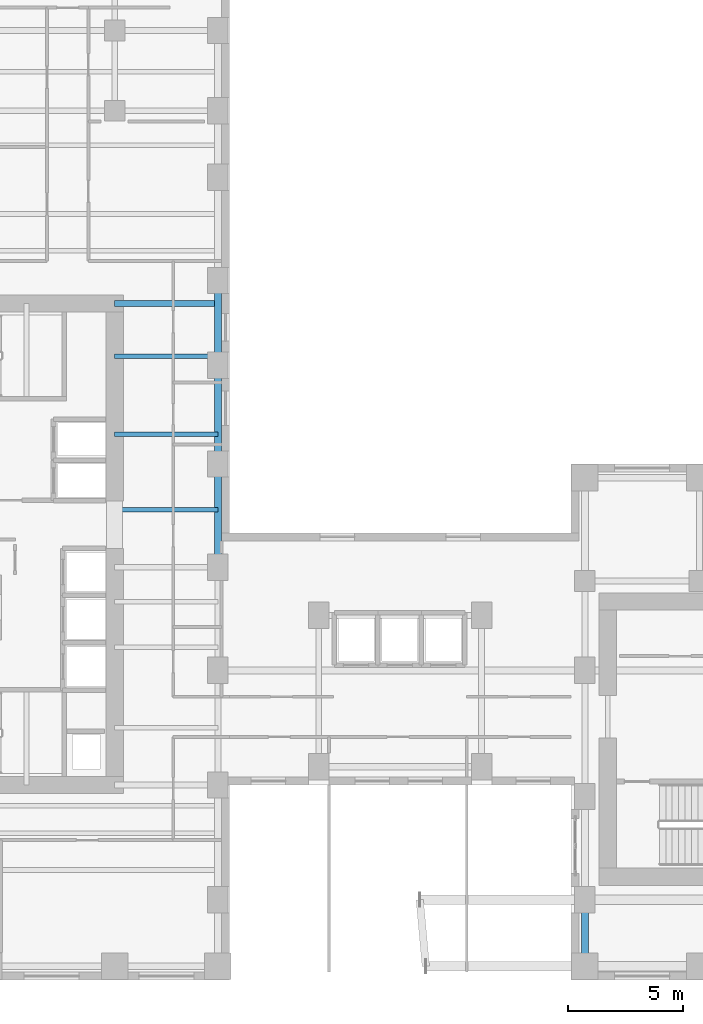
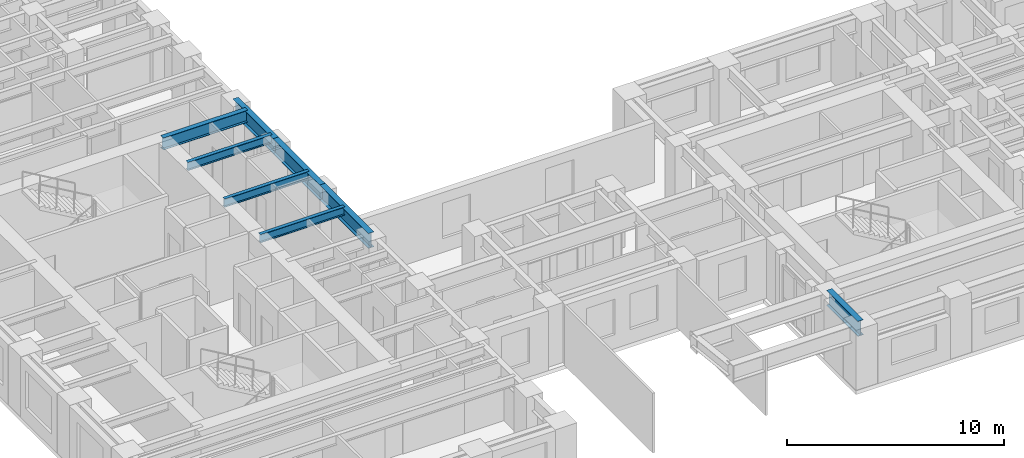
# One storey, part 2 of 14: 8 beams.
"""IFC4 building model written with IfcOpenShell, lengths in metres."""

from ifc_helpers import new_model, si_unit, direction, frame, origin, origin_2d, place, context, subcontext, project, spatial, i_section, extrude, source, transform, mapped, material, material_profile, profile_set, type_object, element, save


model = new_model("IFC4")

# Units and contexts
model_context = context("Model", 3, precision=1e-05, world=origin(), true_north=direction((0.0, 1.0)))
body_context = subcontext(model_context, "Body", "Model", "MODEL_VIEW")
ifc_project = project(units=[si_unit("LENGTHUNIT", "METRE"), si_unit("AREAUNIT", "SQUARE_METRE"), si_unit("VOLUMEUNIT", "CUBIC_METRE"), si_unit("PLANEANGLEUNIT", "RADIAN"), si_unit("MASSUNIT", "GRAM", prefix="KILO")], contexts=[model_context])

# Site, building, storey
site_placement = place(None, origin())
site = spatial("IfcSite", under=ifc_project, at=site_placement, CompositionType="ELEMENT")
building_placement = place(site_placement, origin())
building = spatial("IfcBuilding", under=site, at=building_placement, Name="Kharzan Plaza Tower", CompositionType="ELEMENT")
storey_placement = place(building_placement, frame((0.0, 0.0, 88.199951171875)))
storey = spatial("IfcBuildingStorey", under=building, at=storey_placement, Name="L23", CompositionType="ELEMENT", Elevation=88.199951171875)

# Beams
ifc_material = material(Name="Steel S355", Category="steel")
ifc_material_profile_1 = material_profile(ifc_material, i_section(OverallWidth=0.194091796875, OverallDepth=0.468994140625, WebThickness=0.011474609375, FlangeThickness=0.0205078125, at=origin_2d()), Name="W460x106")
ifc_profile_set_1 = profile_set([ifc_material_profile_1], Name="Steel S355")
beam_type_1 = type_object("IfcBeamType", Name="BM-JST460", PredefinedType="JOIST", material=ifc_profile_set_1)
shared_shape_1 = source(origin(), body_context, "Body", "SweptSolid", [
    extrude(i_section(OverallWidth=0.194091796875, OverallDepth=0.468994140625, WebThickness=0.011474609375, FlangeThickness=0.0205078125, at=origin_2d()), origin(), (0.0, 0.0, 1.0), 4.5),
])
for number, where, z_axis, x_axis, name in (
    (1, (14.5, 20.5, 3.1455078125), (1.0, 0.0, 0.0), (0.0, 1.0, 0.0), "L23 Wing A East Infill Joist 4"),
    (2, (14.5, 23.800048828125, 3.1455078125), (1.0, 0.0, 0.0), (0.0, 1.0, 0.0), "L23 Wing A East Infill Joist 5"),
    (3, (14.5, 27.199951171875, 3.1455078125), (1.0, 0.0, 0.0), (0.0, 1.0, 0.0), "L23 Wing A East Infill Joist 6"),
):
    element("IfcBeam", number, at=place(storey_placement, frame(where, z_axis=z_axis, x_axis=x_axis)), inside=storey, type_object=beam_type_1, Name=name, PredefinedType="JOIST", context=body_context, shape_type="MappedRepresentation", body=[
        mapped(shared_shape_1, transform((0.0, 0.0, 0.0), x_axis=(1.0, 0.0, 0.0), y_axis=(0.0, 1.0, 0.0), z_axis=(0.0, 0.0, 1.0))),
    ])
ifc_material_profile_2 = material_profile(ifc_material, i_section(OverallWidth=0.25390625, OverallDepth=0.68798828125, WebThickness=0.01318359375, FlangeThickness=0.02099609375, at=origin_2d()), Name="W690x152")
ifc_profile_set_2 = profile_set([ifc_material_profile_2], Name="Steel S355")
beam_type_2 = type_object("IfcBeamType", Name="BM-FG690B", PredefinedType="BEAM", material=ifc_profile_set_2)
shared_shape_2 = source(origin(), body_context, "Body", "SweptSolid", [
    extrude(i_section(OverallWidth=0.25390625, OverallDepth=0.68798828125, WebThickness=0.01318359375, FlangeThickness=0.02099609375, at=origin_2d()), origin(), (0.0, 0.0, 1.0), 4.5),
])
beam_1_placement = place(storey_placement, frame((14.5, 29.5, 3.0361328125), z_axis=(1.0, 0.0, 0.0), x_axis=(0.0, 1.0, 0.0)))
element("IfcBeam", 4, at=beam_1_placement, inside=storey, type_object=beam_type_2, Name="L23 Core-A East Floor Girder 3", PredefinedType="BEAM", context=body_context, shape_type="MappedRepresentation", body=[
    mapped(shared_shape_2, transform((0.0, 0.0, 0.0), x_axis=(1.0, 0.0, 0.0), y_axis=(0.0, 1.0, 0.0), z_axis=(0.0, 0.0, 1.0))),
])
ifc_material_profile_3 = material_profile(ifc_material, i_section(OverallWidth=0.299072265625, OverallDepth=0.845947265625, WebThickness=0.015380859375, FlangeThickness=0.0244140625, at=origin_2d()), Name="W840x210")
ifc_profile_set_3 = profile_set([ifc_material_profile_3], Name="Steel S355")
beam_type_3 = type_object("IfcBeamType", Name="BM-SP840B", PredefinedType="SPANDREL", material=ifc_profile_set_3)
shared_shape_3 = source(origin(), body_context, "Body", "SweptSolid", [
    extrude(i_section(OverallWidth=0.299072265625, OverallDepth=0.845947265625, WebThickness=0.015380859375, FlangeThickness=0.0244140625, at=origin_2d()), origin(), (0.0, 0.0, 1.0), 4.5),
])
beam_2_placement = place(storey_placement, frame((19.0, 18.0, 2.95703125), z_axis=(0.0, 1.0, 0.0), x_axis=(-1.0, 0.0, 0.0)))
element("IfcBeam", 5, at=beam_2_placement, inside=storey, type_object=beam_type_3, Name="L23 Perimeter Tube Spandrel", PredefinedType="SPANDREL", context=body_context, shape_type="MappedRepresentation", body=[
    mapped(shared_shape_3, transform((0.0, 0.0, 0.0), x_axis=(1.0, 0.0, 0.0), y_axis=(0.0, 1.0, 0.0), z_axis=(0.0, 0.0, 1.0))),
])
shared_shape_4 = source(origin(), body_context, "Body", "SweptSolid", [
    extrude(i_section(OverallWidth=0.299072265625, OverallDepth=0.845947265625, WebThickness=0.015380859375, FlangeThickness=0.0244140625, at=origin_2d()), origin(), (0.0, 0.0, 1.0), 4.300048828125),
])
beam_3_placement = place(storey_placement, frame((19.0, 22.5, 2.95703125), z_axis=(0.0, 1.0, 0.0), x_axis=(-1.0, 0.0, 0.0)))
element("IfcBeam", 6, at=beam_3_placement, inside=storey, type_object=beam_type_3, Name="L23 Perimeter Tube Spandrel", PredefinedType="SPANDREL", context=body_context, shape_type="MappedRepresentation", body=[
    mapped(shared_shape_4, transform((0.0, 0.0, 0.0), x_axis=(1.0, 0.0, 0.0), y_axis=(0.0, 1.0, 0.0), z_axis=(0.0, 0.0, 1.0))),
])
shared_shape_5 = source(origin(), body_context, "Body", "SweptSolid", [
    extrude(i_section(OverallWidth=0.299072265625, OverallDepth=0.845947265625, WebThickness=0.015380859375, FlangeThickness=0.0244140625, at=origin_2d()), origin(), (0.0, 0.0, 1.0), 3.699951171875),
])
beam_4_placement = place(storey_placement, frame((19.0, 26.800048828125, 2.95703125), z_axis=(0.0, 1.0, 0.0), x_axis=(-1.0, 0.0, 0.0)))
element("IfcBeam", 7, at=beam_4_placement, inside=storey, type_object=beam_type_3, Name="L23 Perimeter Tube Spandrel", PredefinedType="SPANDREL", context=body_context, shape_type="MappedRepresentation", body=[
    mapped(shared_shape_5, transform((0.0, 0.0, 0.0), x_axis=(1.0, 0.0, 0.0), y_axis=(0.0, 1.0, 0.0), z_axis=(0.0, 0.0, 1.0))),
])
shared_shape_6 = source(origin(), body_context, "Body", "SweptSolid", [
    extrude(i_section(OverallWidth=0.299072265625, OverallDepth=0.845947265625, WebThickness=0.015380859375, FlangeThickness=0.0244140625, at=origin_2d()), origin(), (0.0, 0.0, 1.0), 2.89990234375),
])
beam_5_placement = place(storey_placement, frame((35.0, 0.60009765625, 2.95703125), z_axis=(0.0, 1.0, 0.0), x_axis=(-1.0, 0.0, 0.0)))
element("IfcBeam", 8, at=beam_5_placement, inside=storey, type_object=beam_type_3, Name="L23 Perimeter Tube Spandrel", PredefinedType="SPANDREL", context=body_context, shape_type="MappedRepresentation", body=[
    mapped(shared_shape_6, transform((0.0, 0.0, 0.0), x_axis=(1.0, 0.0, 0.0), y_axis=(0.0, 1.0, 0.0), z_axis=(0.0, 0.0, 1.0))),
])

save(model, "model.ifc")
